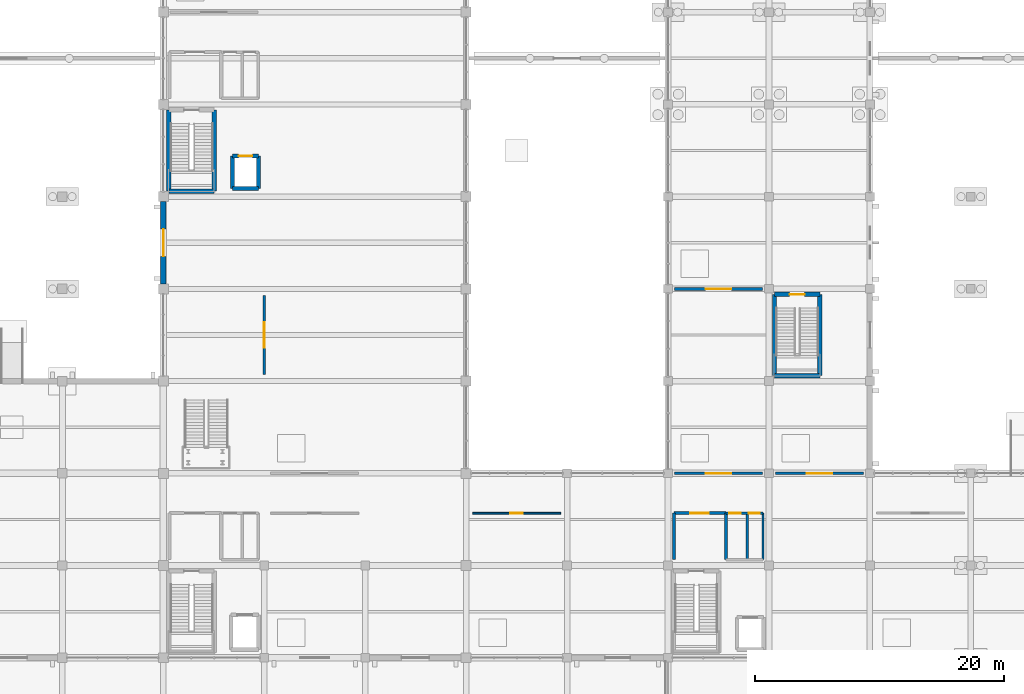
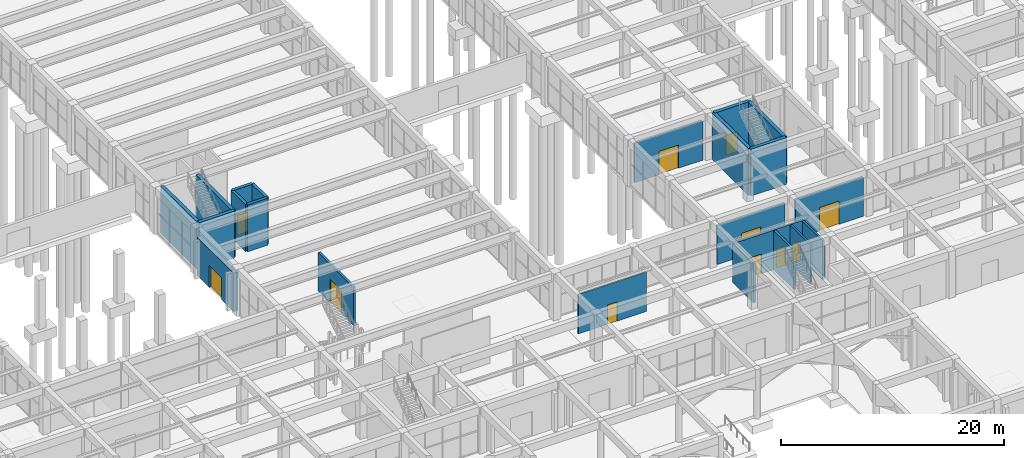
# One storey, part 126 of 140: 23 walls, 11 doors, 11 openings.
"""IFC4 building model written with IfcOpenShell, lengths in metres."""

from ifc_helpers import new_model, si_unit, direction, frame, frame_2d, origin, place, context, subcontext, project, spatial, rectangle, extrude, material, layer, layer_set, type_object, element, fill, save


model = new_model("IFC4")

# Units and contexts
model_context = context("Model", 3, precision=1e-05, world=origin(), true_north=direction((0.0, 1.0)))
body_context = subcontext(model_context, "Body", "Model", "MODEL_VIEW")
ifc_project = project(units=[si_unit("LENGTHUNIT", "METRE"), si_unit("AREAUNIT", "SQUARE_METRE"), si_unit("VOLUMEUNIT", "CUBIC_METRE"), si_unit("PLANEANGLEUNIT", "RADIAN"), si_unit("MASSUNIT", "GRAM", prefix="KILO")], contexts=[model_context])

# Site, building, storey
site_placement = place(None, origin())
site = spatial("IfcSite", under=ifc_project, at=site_placement, CompositionType="ELEMENT")
building_placement = place(site_placement, origin())
building = spatial("IfcBuilding", under=site, at=building_placement, Name="Cimatlan Art Gallery", CompositionType="ELEMENT")
storey_placement = place(building_placement, origin())
storey = spatial("IfcBuildingStorey", under=building, at=storey_placement, Name="L00", CompositionType="ELEMENT", Elevation=0.0)

# Walls
ifc_material_1 = material(Name="Concrete C40/50", Category="concrete")
ifc_layer_1 = layer(ifc_material_1, 0.31005859375)
ifc_layer_set_1 = layer_set([ifc_layer_1], Name="Concrete C40/50")
wall_type_1 = type_object("IfcWallType", Name="W-CORE-310", PredefinedType="SHEAR", material=ifc_layer_set_1)
wall_1_placement = place(storey_placement, frame((80.449951171875, 61.550048828125, 0.0), z_axis=(0.0, 0.0, 1.0), x_axis=(0.0, 1.0, 0.0)))
element("IfcWall", 1, at=wall_1_placement, inside=storey, type_object=wall_type_1, Name="WL-SHFT-C6-L00-LW", PredefinedType="SHEAR", context=body_context, shape_type="SweptSolid", body=[
    extrude(rectangle(XDim=2.599853515625, YDim=0.31005859375, at=frame_2d((1.2998046875, 0.0))), origin(), (0.0, 0.0, 1.0), 5.1298828125),
])
wall_2_placement = place(storey_placement, frame((80.449951171875, 61.550048828125, 0.0), z_axis=(0.0, 0.0, 1.0), x_axis=(1.0, 0.0, 0.0)))
element("IfcWall", 2, at=wall_2_placement, inside=storey, type_object=wall_type_1, Name="WL-SHFT-C6-L00-LS", PredefinedType="SHEAR", context=body_context, shape_type="SweptSolid", body=[
    extrude(rectangle(XDim=2.10009765625, YDim=0.31005859375, at=frame_2d((1.050048828125, 0.0))), origin(), (0.0, 0.0, 1.0), 5.1298828125),
])
wall_3_placement = place(storey_placement, frame((82.550048828125, 61.550048828125, 0.0), z_axis=(0.0, 0.0, 1.0), x_axis=(0.0, 1.0, 0.0)))
element("IfcWall", 3, at=wall_3_placement, inside=storey, type_object=wall_type_1, Name="WL-SHFT-C6-L00-LE", PredefinedType="SHEAR", context=body_context, shape_type="SweptSolid", body=[
    extrude(rectangle(XDim=2.599853515625, YDim=0.31005859375, at=frame_2d((1.2998046875, 0.0))), origin(), (0.0, 0.0, 1.0), 5.1298828125),
])

# Wall, opening, door
wall_4_placement = place(storey_placement, frame((80.449951171875, 64.14990234375, 0.0), z_axis=(0.0, 0.0, 1.0), x_axis=(1.0, 0.0, 0.0)))
wall_4 = element("IfcWall", 4, at=wall_4_placement, inside=storey, type_object=wall_type_1, Name="WL-SHFT-C6-L00-LN", PredefinedType="SHEAR", context=body_context, shape_type="SweptSolid", body=[
    extrude(rectangle(XDim=2.10009765625, YDim=0.31005859375, at=frame_2d((1.050048828125, 0.0))), origin(), (0.0, 0.0, 1.0), 5.1298828125),
])
opening_1_placement = place(wall_4_placement, frame((0.5, 0.0, 0.0)))
opening_1 = element("IfcOpeningElement", 5, at=opening_1_placement, cuts=wall_4, Name="Opening LD-C6-L00", PredefinedType="OPENING", context=body_context, shape_type="SweptSolid", body=[
    extrude(rectangle(XDim=1.10009765625, YDim=2.14990234375, at=frame_2d((0.550048828125, 1.074951171875))), frame((0.0, 0.1650390625, 0.0), z_axis=(0.0, -1.0, 0.0), x_axis=(1.0, 0.0, 0.0)), (0.0, 0.0, 1.0), 0.330078125),
])
ifc_material_2 = material(Name="Brushed bronze sliding lift landing door")
door_type_1 = type_object("IfcDoorType", Name="LD-PS-1100", OperationType="NOTDEFINED", PredefinedType="DOOR", material=ifc_material_2)
door_1_placement = place(opening_1_placement, origin())
door_1 = element("IfcDoor", 6, at=door_1_placement, inside=storey, type_object=door_type_1, Name="LD-PL-03-L00", OperationType="SLIDING_TO_RIGHT", OverallHeight=2.14990234375, OverallWidth=1.10009765625, PredefinedType="DOOR", context=body_context, shape_type="SweptSolid", body=[
    extrude(rectangle(XDim=1.10009765625, YDim=2.14990234375, at=frame_2d((0.550048828125, 1.074951171875))), frame((0.0, 0.02490234375, 0.0), z_axis=(0.0, -1.0, 0.0), x_axis=(1.0, 0.0, 0.0)), (0.0, 0.0, 1.0), 0.050048828125),
])
fill(opening_1, door_1)

# Walls
ifc_layer_2 = layer(ifc_material_1, 0.35009765625)
ifc_layer_set_2 = layer_set([ifc_layer_2], Name="Concrete C40/50")
wall_type_2 = type_object("IfcWallType", Name="W-CORE-350", PredefinedType="SHEAR", material=ifc_layer_set_2)
wall_5_placement = place(storey_placement, frame((75.340087890625, 61.340087890625, 0.0), z_axis=(0.0, 0.0, 1.0), x_axis=(0.0, 1.0, 0.0)))
element("IfcWall", 7, at=wall_5_placement, inside=storey, type_object=wall_type_2, Name="WL-CORE-C6-L00-SW", PredefinedType="SHEAR", context=body_context, shape_type="SweptSolid", body=[
    extrude(rectangle(XDim=6.52001953125, YDim=0.35009765625, at=frame_2d((3.260009765625, 0.0))), origin(), (0.0, 0.0, 1.0), 5.1298828125),
])
wall_6_placement = place(storey_placement, frame((75.340087890625, 61.340087890625, 0.0), z_axis=(0.0, 0.0, 1.0), x_axis=(1.0, 0.0, 0.0)))
element("IfcWall", 8, at=wall_6_placement, inside=storey, type_object=wall_type_2, Name="WL-CORE-C6-L00-SS", PredefinedType="SHEAR", context=body_context, shape_type="SweptSolid", body=[
    extrude(rectangle(XDim=3.639892578125, YDim=0.35009765625, at=frame_2d((1.81982421875, 0.0))), origin(), (0.0, 0.0, 1.0), 5.1298828125),
])
for number, where, z_axis, x_axis, name in (
    (9, (78.97998046875, 61.340087890625, 0.0), (0.0, 0.0, 1.0), (0.0, 1.0, 0.0), "WL-CORE-C6-L00-SE"),
    (10, (123.93994140625, 46.5400390625, 0.0), (0.0, 0.0, 1.0), (0.0, 1.0, 0.0), "WL-CORE-C9-L00-SW"),
):
    element("IfcWall", number, at=place(storey_placement, frame(where, z_axis=z_axis, x_axis=x_axis)), inside=storey, type_object=wall_type_2, Name=name, PredefinedType="SHEAR", context=body_context, shape_type="SweptSolid", body=[
        extrude(rectangle(XDim=6.52001953125, YDim=0.35009765625, at=frame_2d((3.260009765625, 0.0))), origin(), (0.0, 0.0, 1.0), 5.1298828125),
    ])
wall_7_placement = place(storey_placement, frame((123.93994140625, 46.5400390625, 0.0), z_axis=(0.0, 0.0, 1.0), x_axis=(1.0, 0.0, 0.0)))
element("IfcWall", 11, at=wall_7_placement, inside=storey, type_object=wall_type_2, Name="WL-CORE-C9-L00-SS", PredefinedType="SHEAR", context=body_context, shape_type="SweptSolid", body=[
    extrude(rectangle(XDim=3.64013671875, YDim=0.35009765625, at=frame_2d((1.820068359375, 0.0))), origin(), (0.0, 0.0, 1.0), 5.1298828125),
])
wall_8_placement = place(storey_placement, frame((127.580078125, 46.5400390625, 0.0), z_axis=(0.0, 0.0, 1.0), x_axis=(0.0, 1.0, 0.0)))
element("IfcWall", 12, at=wall_8_placement, inside=storey, type_object=wall_type_2, Name="WL-CORE-C9-L00-SE", PredefinedType="SHEAR", context=body_context, shape_type="SweptSolid", body=[
    extrude(rectangle(XDim=6.52001953125, YDim=0.35009765625, at=frame_2d((3.260009765625, 0.0))), origin(), (0.0, 0.0, 1.0), 5.1298828125),
])

# Wall, opening, door
wall_9_placement = place(storey_placement, frame((123.93994140625, 53.06005859375, 0.0), z_axis=(0.0, 0.0, 1.0), x_axis=(1.0, 0.0, 0.0)))
wall_9 = element("IfcWall", 13, at=wall_9_placement, inside=storey, type_object=wall_type_2, Name="WL-CORE-C9-L00-SN", PredefinedType="SHEAR", context=body_context, shape_type="SweptSolid", body=[
    extrude(rectangle(XDim=3.64013671875, YDim=0.35009765625, at=frame_2d((1.820068359375, 0.0))), origin(), (0.0, 0.0, 1.0), 5.1298828125),
])
opening_2_placement = place(wall_9_placement, frame((1.219970703125, 0.0, 0.0)))
opening_2 = element("IfcOpeningElement", 14, at=opening_2_placement, cuts=wall_9, Name="Opening FD-C9-L00", PredefinedType="OPENING", context=body_context, shape_type="SweptSolid", body=[
    extrude(rectangle(XDim=1.199951171875, YDim=2.14990234375, at=frame_2d((0.60009765625, 1.074951171875))), frame((0.0, 0.18505859375, 0.0), z_axis=(0.0, -1.0, 0.0), x_axis=(1.0, 0.0, 0.0)), (0.0, 0.0, 1.0), 0.3701171875),
])
ifc_material_3 = material(Name="Fire-resisting steel acoustic stair door", Category="steel")
door_type_2 = type_object("IfcDoorType", Name="FD-ST-1200", OperationType="NOTDEFINED", PredefinedType="DOOR", material=ifc_material_3)
door_2_placement = place(opening_2_placement, origin())
door_2 = element("IfcDoor", 15, at=door_2_placement, inside=storey, type_object=door_type_2, Name="DR-C9-L00-ST", OperationType="SINGLE_SWING_RIGHT", OverallHeight=2.14990234375, OverallWidth=1.199951171875, PredefinedType="DOOR", context=body_context, shape_type="SweptSolid", body=[
    extrude(rectangle(XDim=1.199951171875, YDim=2.14990234375, at=frame_2d((0.60009765625, 1.074951171875))), frame((0.0, 0.02490234375, 0.0), z_axis=(0.0, -1.0, 0.0), x_axis=(1.0, 0.0, 0.0)), (0.0, 0.0, 1.0), 0.050048828125),
])
fill(opening_2, door_2)

ifc_material_4 = material(Name="Precast concrete C40/50", Category="concrete")
ifc_layer_3 = layer(ifc_material_4, 0.2451171875)
ifc_layer_set_3 = layer_set([ifc_layer_3], Name="Precast concrete C40/50")
wall_type_3 = type_object("IfcWallType", Name="W-FFL-245", PredefinedType="PARTITIONING", material=ifc_layer_set_3)
wall_10_placement = place(storey_placement, frame((115.8798828125, 35.5, 0.0), z_axis=(0.0, 0.0, 1.0), x_axis=(1.0, 0.0, 0.0)))
wall_10 = element("IfcWall", 16, at=wall_10_placement, inside=storey, type_object=wall_type_3, Name="WL-LOB-C4-L00-N", PredefinedType="PARTITIONING", context=body_context, shape_type="SweptSolid", body=[
    extrude(rectangle(XDim=4.170166015625, YDim=0.2451171875, at=frame_2d((2.0849609375, 0.0))), origin(), (0.0, 0.0, 1.0), 4.324951171875),
])
opening_3_placement = place(wall_10_placement, frame((1.300048828125, 0.0, 0.0)))
opening_3 = element("IfcOpeningElement", 17, at=opening_3_placement, cuts=wall_10, Name="Opening FDL-C4-L00", PredefinedType="OPENING", context=body_context, shape_type="SweptSolid", body=[
    extrude(rectangle(XDim=1.5, YDim=2.14990234375, at=frame_2d((0.75, 1.074951171875))), frame((0.0, 0.132568359375, 0.0), z_axis=(0.0, -1.0, 0.0), x_axis=(1.0, 0.0, 0.0)), (0.0, 0.0, 1.0), 0.26513671875),
])
ifc_material_5 = material(Name="Fire-resisting double-seal lobby door")
door_type_3 = type_object("IfcDoorType", Name="FD-LB-1500", OperationType="NOTDEFINED", PredefinedType="DOOR", material=ifc_material_5)
door_3_placement = place(opening_3_placement, origin())
door_3 = element("IfcDoor", 18, at=door_3_placement, inside=storey, type_object=door_type_3, Name="DR-LOB-C4-L00", OperationType="SINGLE_SWING_RIGHT", OverallHeight=2.14990234375, OverallWidth=1.5, PredefinedType="DOOR", context=body_context, shape_type="SweptSolid", body=[
    extrude(rectangle(XDim=1.5, YDim=2.14990234375, at=frame_2d((0.75, 1.074951171875))), frame((0.0, 0.02490234375, 0.0), z_axis=(0.0, -1.0, 0.0), x_axis=(1.0, 0.0, 0.0)), (0.0, 0.0, 1.0), 0.050048828125),
])
fill(opening_3, door_3)

# Walls
for number, where, z_axis, x_axis, name in (
    (19, (115.8798828125, 31.780029296875, 0.0), (0.0, 0.0, 1.0), (0.0, 1.0, 0.0), "WL-LOB-C4-L00-W"),
    (20, (120.050048828125, 31.780029296875, 0.0), (0.0, 0.0, 1.0), (0.0, 1.0, 0.0), "WL-LOB-C4-L00-M"),
):
    element("IfcWall", number, at=place(storey_placement, frame(where, z_axis=z_axis, x_axis=x_axis)), inside=storey, type_object=wall_type_3, Name=name, PredefinedType="PARTITIONING", context=body_context, shape_type="SweptSolid", body=[
        extrude(rectangle(XDim=3.719970703125, YDim=0.2451171875, at=frame_2d((1.85986328125, 0.0))), origin(), (0.0, 0.0, 1.0), 4.27490234375),
    ])

# Wall, opening, door
ifc_material_6 = material(Name="Acoustic gypsum and steel stud partition", Category="steel")
ifc_layer_4 = layer(ifc_material_6, 0.22509765625)
ifc_layer_set_4 = layer_set([ifc_layer_4], Name="Acoustic gypsum and steel stud partition")
wall_type_4 = type_object("IfcWallType", Name="W-GAL-225", PredefinedType="PARTITIONING", material=ifc_layer_set_4)
wall_11_placement = place(storey_placement, frame((83.0, 46.6201171875, 0.0), z_axis=(0.0, 0.0, 1.0), x_axis=(0.0, 1.0, 0.0)))
wall_11 = element("IfcWall", 21, at=wall_11_placement, inside=storey, type_object=wall_type_4, Name="WL-RM-L00-GAL-CW", PredefinedType="PARTITIONING", context=body_context, shape_type="SweptSolid", body=[
    extrude(rectangle(XDim=6.35986328125, YDim=0.22509765625, at=frame_2d((3.179931640625, 0.0))), origin(), (0.0, 0.0, 1.0), 4.197998046875),
])
opening_4_placement = place(wall_11_placement, frame((2.155029296875, 0.0, 0.0)))
opening_4 = element("IfcOpeningElement", 22, at=opening_4_placement, cuts=wall_11, Name="Opening DI-0183", PredefinedType="OPENING", context=body_context, shape_type="SweptSolid", body=[
    extrude(rectangle(XDim=2.050048828125, YDim=2.550048828125, at=frame_2d((1.02490234375, 1.27490234375))), frame((0.0, 0.12255859375, 0.0), z_axis=(0.0, -1.0, 0.0), x_axis=(1.0, 0.0, 0.0)), (0.0, 0.0, 1.0), 0.2451171875),
])
ifc_material_7 = material(Name="European oak and bronze gallery portal door")
door_type_4 = type_object("IfcDoorType", Name="DI-GL-2050", OperationType="NOTDEFINED", PredefinedType="DOOR", material=ifc_material_7)
door_4_placement = place(opening_4_placement, origin())
door_4 = element("IfcDoor", 23, at=door_4_placement, inside=storey, type_object=door_type_4, Name="DR-RM-L00-GAL-CW", OperationType="SINGLE_SWING_LEFT", OverallHeight=2.550048828125, OverallWidth=2.050048828125, PredefinedType="DOOR", context=body_context, shape_type="SweptSolid", body=[
    extrude(rectangle(XDim=2.050048828125, YDim=2.550048828125, at=frame_2d((1.02490234375, 1.27490234375))), frame((0.0, 0.02490234375, 0.0), z_axis=(0.0, -1.0, 0.0), x_axis=(1.0, 0.0, 0.0)), (0.0, 0.0, 1.0), 0.050048828125),
])
fill(opening_4, door_4)

wall_12_placement = place(storey_placement, frame((115.919921875, 38.699951171875, 0.0), z_axis=(0.0, 0.0, 1.0), x_axis=(1.0, 0.0, 0.0)))
wall_12 = element("IfcWall", 24, at=wall_12_placement, inside=storey, type_object=wall_type_4, Name="WL-RM-L00-GAL-E1", PredefinedType="PARTITIONING", context=body_context, shape_type="SweptSolid", body=[
    extrude(rectangle(XDim=7.06005859375, YDim=0.22509765625, at=frame_2d((3.530029296875, 0.0))), origin(), (0.0, 0.0, 1.0), 4.27490234375),
])
opening_5_placement = place(wall_12_placement, frame((2.5048828125, 0.0, 0.0)))
opening_5 = element("IfcOpeningElement", 25, at=opening_5_placement, cuts=wall_12, Name="Opening DI-0189", PredefinedType="OPENING", context=body_context, shape_type="SweptSolid", body=[
    extrude(rectangle(XDim=2.050048828125, YDim=2.550048828125, at=frame_2d((1.02490234375, 1.27490234375))), frame((0.0, 0.12255859375, 0.0), z_axis=(0.0, -1.0, 0.0), x_axis=(1.0, 0.0, 0.0)), (0.0, 0.0, 1.0), 0.2451171875),
])
door_5_placement = place(opening_5_placement, origin())
door_5 = element("IfcDoor", 26, at=door_5_placement, inside=storey, type_object=door_type_4, Name="DR-RM-L00-GAL-E1", OperationType="SINGLE_SWING_LEFT", OverallHeight=2.550048828125, OverallWidth=2.050048828125, PredefinedType="DOOR", context=body_context, shape_type="SweptSolid", body=[
    extrude(rectangle(XDim=2.050048828125, YDim=2.550048828125, at=frame_2d((1.02490234375, 1.27490234375))), frame((0.0, 0.02490234375, 0.0), z_axis=(0.0, -1.0, 0.0), x_axis=(1.0, 0.0, 0.0)), (0.0, 0.0, 1.0), 0.050048828125),
])
fill(opening_5, door_5)

wall_13_placement = place(storey_placement, frame((124.02001953125, 38.699951171875, 0.0), z_axis=(0.0, 0.0, 1.0), x_axis=(1.0, 0.0, 0.0)))
wall_13 = element("IfcWall", 27, at=wall_13_placement, inside=storey, type_object=wall_type_4, Name="WL-RM-L00-GAL-E1B", PredefinedType="PARTITIONING", context=body_context, shape_type="SweptSolid", body=[
    extrude(rectangle(XDim=7.06005859375, YDim=0.22509765625, at=frame_2d((3.530029296875, 0.0))), origin(), (0.0, 0.0, 1.0), 4.27490234375),
])
opening_6_placement = place(wall_13_placement, frame((2.5048828125, 0.0, 0.0)))
opening_6 = element("IfcOpeningElement", 28, at=opening_6_placement, cuts=wall_13, Name="Opening DI-0190", PredefinedType="OPENING", context=body_context, shape_type="SweptSolid", body=[
    extrude(rectangle(XDim=2.050048828125, YDim=2.550048828125, at=frame_2d((1.02490234375, 1.27490234375))), frame((0.0, 0.12255859375, 0.0), z_axis=(0.0, -1.0, 0.0), x_axis=(1.0, 0.0, 0.0)), (0.0, 0.0, 1.0), 0.2451171875),
])
door_6_placement = place(opening_6_placement, origin())
door_6 = element("IfcDoor", 29, at=door_6_placement, inside=storey, type_object=door_type_4, Name="DR-RM-L00-GAL-E1B", OperationType="SINGLE_SWING_RIGHT", OverallHeight=2.550048828125, OverallWidth=2.050048828125, PredefinedType="DOOR", context=body_context, shape_type="SweptSolid", body=[
    extrude(rectangle(XDim=2.050048828125, YDim=2.550048828125, at=frame_2d((1.02490234375, 1.27490234375))), frame((0.0, 0.02490234375, 0.0), z_axis=(0.0, -1.0, 0.0), x_axis=(1.0, 0.0, 0.0)), (0.0, 0.0, 1.0), 0.050048828125),
])
fill(opening_6, door_6)

wall_14_placement = place(storey_placement, frame((115.919921875, 53.5, 0.0), z_axis=(0.0, 0.0, 1.0), x_axis=(1.0, 0.0, 0.0)))
wall_14 = element("IfcWall", 30, at=wall_14_placement, inside=storey, type_object=wall_type_4, Name="WL-RM-L00-GAL-E2", PredefinedType="PARTITIONING", context=body_context, shape_type="SweptSolid", body=[
    extrude(rectangle(XDim=7.06005859375, YDim=0.22509765625, at=frame_2d((3.530029296875, 0.0))), origin(), (0.0, 0.0, 1.0), 4.324951171875),
])
opening_7_placement = place(wall_14_placement, frame((2.5048828125, 0.0, 0.0)))
opening_7 = element("IfcOpeningElement", 31, at=opening_7_placement, cuts=wall_14, Name="Opening DI-0191", PredefinedType="OPENING", context=body_context, shape_type="SweptSolid", body=[
    extrude(rectangle(XDim=2.050048828125, YDim=2.550048828125, at=frame_2d((1.02490234375, 1.27490234375))), frame((0.0, 0.12255859375, 0.0), z_axis=(0.0, -1.0, 0.0), x_axis=(1.0, 0.0, 0.0)), (0.0, 0.0, 1.0), 0.2451171875),
])
door_7_placement = place(opening_7_placement, origin())
door_7 = element("IfcDoor", 32, at=door_7_placement, inside=storey, type_object=door_type_4, Name="DR-RM-L00-GAL-E2", OperationType="SINGLE_SWING_LEFT", OverallHeight=2.550048828125, OverallWidth=2.050048828125, PredefinedType="DOOR", context=body_context, shape_type="SweptSolid", body=[
    extrude(rectangle(XDim=2.050048828125, YDim=2.550048828125, at=frame_2d((1.02490234375, 1.27490234375))), frame((0.0, 0.02490234375, 0.0), z_axis=(0.0, -1.0, 0.0), x_axis=(1.0, 0.0, 0.0)), (0.0, 0.0, 1.0), 0.050048828125),
])
fill(opening_7, door_7)

ifc_material_8 = material(Name="Fire-rated gypsum board and steel stud partition", Category="steel")
ifc_layer_5 = layer(ifc_material_8, 0.139892578125)
ifc_layer_set_5 = layer_set([ifc_layer_5], Name="Fire-rated gypsum board and steel stud partition")
wall_type_5 = type_object("IfcWallType", Name="W-OFF-140", PredefinedType="PARTITIONING", material=ifc_layer_set_5)
wall_15_placement = place(storey_placement, frame((99.719970703125, 35.5, 0.0), z_axis=(0.0, 0.0, 1.0), x_axis=(1.0, 0.0, 0.0)))
wall_15 = element("IfcWall", 33, at=wall_15_placement, inside=storey, type_object=wall_type_5, Name="WL-RM-L00-CAF-01", PredefinedType="PARTITIONING", context=body_context, shape_type="SweptSolid", body=[
    extrude(rectangle(XDim=7.06005859375, YDim=0.139892578125, at=frame_2d((3.530029296875, 0.0))), origin(), (0.0, 0.0, 1.0), 4.324951171875),
])
opening_8_placement = place(wall_15_placement, frame((3.030029296875, 0.0, 0.0)))
opening_8 = element("IfcOpeningElement", 34, at=opening_8_placement, cuts=wall_15, Name="Opening DI-0186", PredefinedType="OPENING", context=body_context, shape_type="SweptSolid", body=[
    extrude(rectangle(XDim=1.0, YDim=2.1201171875, at=frame_2d((0.5, 1.06005859375))), frame((0.0, 0.080078125, 0.0), z_axis=(0.0, -1.0, 0.0), x_axis=(1.0, 0.0, 0.0)), (0.0, 0.0, 1.0), 0.159912109375),
])
ifc_material_9 = material(Name="Timber curatorial office door", Category="wood")
door_type_5 = type_object("IfcDoorType", Name="DI-OF-1000", OperationType="NOTDEFINED", PredefinedType="DOOR", material=ifc_material_9)
door_8_placement = place(opening_8_placement, origin())
door_8 = element("IfcDoor", 35, at=door_8_placement, inside=storey, type_object=door_type_5, Name="DR-RM-L00-CAF-01", OperationType="SINGLE_SWING_RIGHT", OverallHeight=2.1201171875, OverallWidth=1.0, PredefinedType="DOOR", context=body_context, shape_type="SweptSolid", body=[
    extrude(rectangle(XDim=1.0, YDim=2.1201171875, at=frame_2d((0.5, 1.06005859375))), frame((0.0, 0.02490234375, 0.0), z_axis=(0.0, -1.0, 0.0), x_axis=(1.0, 0.0, 0.0)), (0.0, 0.0, 1.0), 0.050048828125),
])
fill(opening_8, door_8)

# Walls
ifc_material_10 = material(Name="Moisture-resistant fire-rated plumbing wall")
ifc_layer_6 = layer(ifc_material_10, 0.195068359375)
ifc_layer_set_6 = layer_set([ifc_layer_6], Name="Moisture-resistant fire-rated plumbing wall")
wall_type_6 = type_object("IfcWallType", Name="W-PLM-195", PredefinedType="PARTITIONING", material=ifc_layer_set_6)
for number, where, z_axis, x_axis, name in (
    (36, (121.75, 31.780029296875, 0.0), (0.0, 0.0, 1.0), (0.0, 1.0, 0.0), "WL-LOB-C4-L00-D"),
    (37, (123.02001953125, 31.780029296875, 0.0), (0.0, 0.0, 1.0), (0.0, 1.0, 0.0), "WL-LOB-C4-L00-E"),
):
    element("IfcWall", number, at=place(storey_placement, frame(where, z_axis=z_axis, x_axis=x_axis)), inside=storey, type_object=wall_type_6, Name=name, PredefinedType="PARTITIONING", context=body_context, shape_type="SweptSolid", body=[
        extrude(rectangle(XDim=3.719970703125, YDim=0.195068359375, at=frame_2d((1.85986328125, 0.0))), origin(), (0.0, 0.0, 1.0), 4.27490234375),
    ])

# Wall, openings, doors
wall_16_placement = place(storey_placement, frame((120.050048828125, 35.5, 0.0), z_axis=(0.0, 0.0, 1.0), x_axis=(1.0, 0.0, 0.0)))
wall_16 = element("IfcWall", 38, at=wall_16_placement, inside=storey, type_object=wall_type_6, Name="WL-WC-C4-L00-N", PredefinedType="PARTITIONING", context=body_context, shape_type="SweptSolid", body=[
    extrude(rectangle(XDim=2.969970703125, YDim=0.195068359375, at=frame_2d((1.48486328125, 0.0))), origin(), (0.0, 0.0, 1.0), 4.324951171875),
])
opening_9_placement = place(wall_16_placement, frame((0.25, 0.0, 0.0)))
opening_9 = element("IfcOpeningElement", 39, at=opening_9_placement, cuts=wall_16, Name="Opening DWC-C4A-L00", PredefinedType="OPENING", context=body_context, shape_type="SweptSolid", body=[
    extrude(rectangle(XDim=0.949951171875, YDim=2.10009765625, at=frame_2d((0.47509765625, 1.050048828125))), frame((0.0, 0.107421875, 0.0), z_axis=(0.0, -1.0, 0.0), x_axis=(1.0, 0.0, 0.0)), (0.0, 0.0, 1.0), 0.215087890625),
])
opening_10_placement = place(wall_16_placement, frame((1.820068359375, 0.0, 0.0)))
opening_10 = element("IfcOpeningElement", 40, at=opening_10_placement, cuts=wall_16, Name="Opening DWC-C4B-L00", PredefinedType="OPENING", context=body_context, shape_type="SweptSolid", body=[
    extrude(rectangle(XDim=0.89990234375, YDim=2.10009765625, at=frame_2d((0.449951171875, 1.050048828125))), frame((0.0, 0.107421875, 0.0), z_axis=(0.0, -1.0, 0.0), x_axis=(1.0, 0.0, 0.0)), (0.0, 0.0, 1.0), 0.215087890625),
])
ifc_material_11 = material(Name="Sanitary room door")
door_type_6 = type_object("IfcDoorType", Name="DI-WC-0900", OperationType="NOTDEFINED", PredefinedType="DOOR", material=ifc_material_11)
door_9_placement = place(opening_10_placement, origin())
door_9 = element("IfcDoor", 41, at=door_9_placement, inside=storey, type_object=door_type_6, Name="DR-PWC-C4-L00", OperationType="SINGLE_SWING_RIGHT", OverallHeight=2.10009765625, OverallWidth=0.89990234375, PredefinedType="DOOR", context=body_context, shape_type="SweptSolid", body=[
    extrude(rectangle(XDim=0.89990234375, YDim=2.10009765625, at=frame_2d((0.449951171875, 1.050048828125))), frame((0.0, 0.02490234375, 0.0), z_axis=(0.0, -1.0, 0.0), x_axis=(1.0, 0.0, 0.0)), (0.0, 0.0, 1.0), 0.050048828125),
])
fill(opening_10, door_9)
ifc_material_12 = material(Name="Accessible sanitary room door")
door_type_7 = type_object("IfcDoorType", Name="DI-WC-0950", OperationType="NOTDEFINED", PredefinedType="DOOR", material=ifc_material_12)
door_10_placement = place(opening_9_placement, origin())
door_10 = element("IfcDoor", 42, at=door_10_placement, inside=storey, type_object=door_type_7, Name="DR-AWC-C4-L00", OperationType="SINGLE_SWING_LEFT", OverallHeight=2.10009765625, OverallWidth=0.949951171875, PredefinedType="DOOR", context=body_context, shape_type="SweptSolid", body=[
    extrude(rectangle(XDim=0.949951171875, YDim=2.10009765625, at=frame_2d((0.47509765625, 1.050048828125))), frame((0.0, 0.02490234375, 0.0), z_axis=(0.0, -1.0, 0.0), x_axis=(1.0, 0.0, 0.0)), (0.0, 0.0, 1.0), 0.050048828125),
])
fill(opening_9, door_10)

# Wall, opening, door
ifc_layer_7 = layer(ifc_material_4, 0.43994140625)
ifc_layer_set_7 = layer_set([ifc_layer_7], Name="Precast concrete C40/50")
wall_type_7 = type_object("IfcWallType", Name="WL-EXT-CAN-440", PredefinedType="SOLIDWALL", material=ifc_layer_set_7)
wall_17_placement = place(storey_placement, frame((74.89990234375, 53.904052734375, 0.0), z_axis=(0.0, 0.0, 1.0), x_axis=(0.0, 1.0, 0.0)))
wall_17 = element("IfcWall", 43, at=wall_17_placement, inside=storey, type_object=wall_type_7, Name="WL-EXT-L00-09-07-W", PredefinedType="SOLIDWALL", context=body_context, shape_type="SweptSolid", body=[
    extrude(rectangle(XDim=6.592041015625, YDim=0.43994140625, at=frame_2d((3.2958984375, 0.0))), origin(), (0.0, 0.0, 1.0), 4.193115234375),
])
opening_11_placement = place(wall_17_placement, frame((2.196044921875, 0.0, 0.0)))
opening_11 = element("IfcOpeningElement", 44, at=opening_11_placement, cuts=wall_17, Name="Opening D-L00-E12", PredefinedType="OPENING", context=body_context, shape_type="SweptSolid", body=[
    extrude(rectangle(XDim=2.199951171875, YDim=2.39990234375, at=frame_2d((1.10009765625, 1.199951171875))), frame((0.0, 0.22998046875, 0.0), z_axis=(0.0, -1.0, 0.0), x_axis=(1.0, 0.0, 0.0)), (0.0, 0.0, 1.0), 0.4599609375),
])
ifc_material_13 = material(Name="Anodised bronze and laminated safety glass door", Category="glass")
door_type_8 = type_object("IfcDoorType", Name="DE-EX-2200", OperationType="NOTDEFINED", PredefinedType="DOOR", material=ifc_material_13)
door_11_placement = place(opening_11_placement, origin())
door_11 = element("IfcDoor", 45, at=door_11_placement, inside=storey, type_object=door_type_8, Name="D-L00-E12", OperationType="DOUBLE_SWING_LEFT", OverallHeight=2.39990234375, OverallWidth=2.199951171875, PredefinedType="DOOR", context=body_context, shape_type="SweptSolid", body=[
    extrude(rectangle(XDim=2.199951171875, YDim=2.39990234375, at=frame_2d((1.10009765625, 1.199951171875))), frame((0.0, 0.02490234375, 0.0), z_axis=(0.0, -1.0, 0.0), x_axis=(1.0, 0.0, 0.0)), (0.0, 0.0, 1.0), 0.050048828125),
])
fill(opening_11, door_11)

save(model, "model.ifc")
